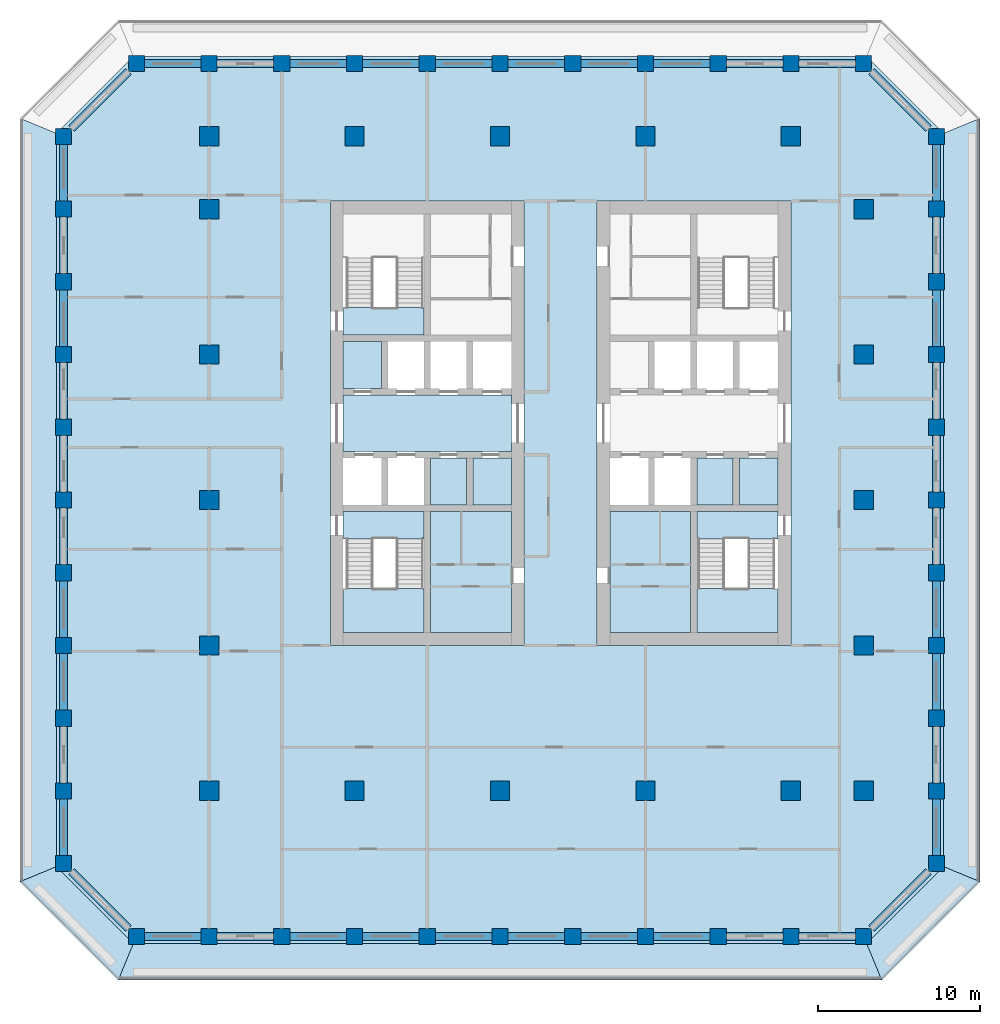
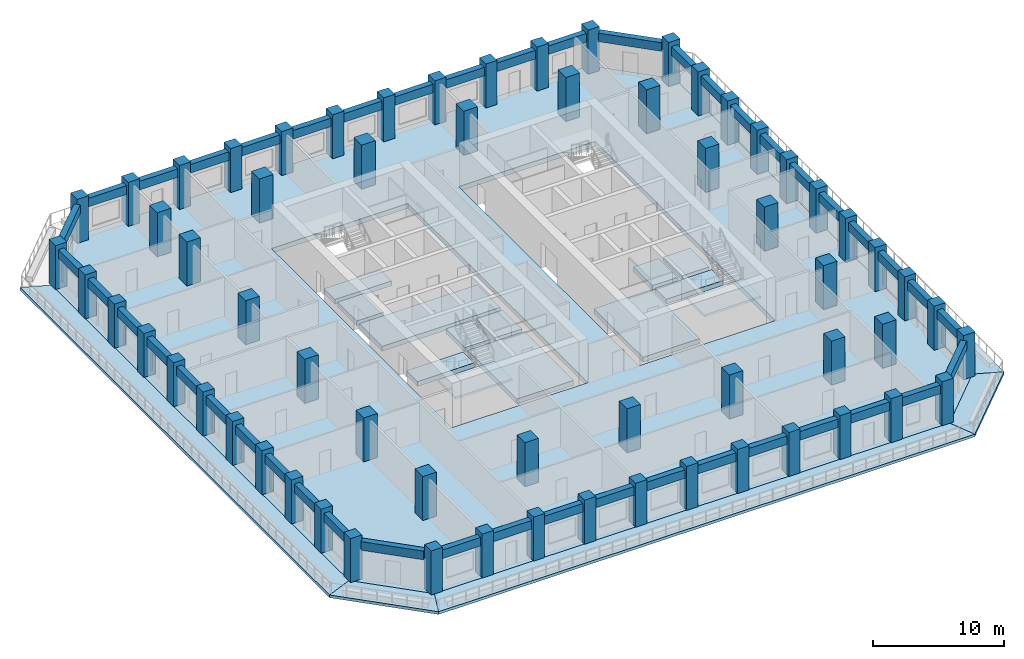
# One storey, part 1 of 16: 63 columns, 44 beams, 19 slabs, 2 elements without a shape of their own.
"""IFC4 building model written with IfcOpenShell, lengths in metres."""

from ifc_helpers import new_model, si_unit, direction, frame, origin, origin_2d, place, context, subcontext, project, spatial, polyline, rectangle, outline, extrude, material, layer, layer_set, material_profile, profile_set, type_object, element, aggregate, save


model = new_model("IFC4")

# Units and contexts
model_context = context("Model", 3, precision=1e-05, world=origin(), true_north=direction((0.0, 1.0)))
body_context = subcontext(model_context, "Body", "Model", "MODEL_VIEW")
ifc_project = project(units=[si_unit("LENGTHUNIT", "METRE"), si_unit("AREAUNIT", "SQUARE_METRE"), si_unit("VOLUMEUNIT", "CUBIC_METRE"), si_unit("PLANEANGLEUNIT", "RADIAN"), si_unit("MASSUNIT", "GRAM", prefix="KILO")], contexts=[model_context])

# Site, building, storey
site_placement = place(None, origin())
site = spatial("IfcSite", under=ifc_project, at=site_placement, CompositionType="ELEMENT")
building_placement = place(site_placement, origin())
building = spatial("IfcBuilding", under=site, at=building_placement, Name="Corbel Stack Research Tower", CompositionType="ELEMENT")
storey_placement = place(building_placement, frame((0.0, 0.0, 177.300048828125)))
storey = spatial("IfcBuildingStorey", under=building, at=storey_placement, Name="L40", CompositionType="ELEMENT", Elevation=177.300048828125)

# Columns
ifc_material_1 = material(Name="Concrete C60/75", Category="concrete")
ifc_material_profile_1 = material_profile(ifc_material_1, rectangle(XDim=1.0, YDim=1.0, at=origin_2d()), Name="RC 1000 x 1000")
ifc_profile_set_1 = profile_set([ifc_material_profile_1], Name="Concrete C60/75")
column_type_1 = type_object("IfcColumnType", Name="C-1000-60", PredefinedType="COLUMN", material=ifc_profile_set_1)
for number, where, z_axis, x_axis, name in (
    (1, (-27.0, -22.5, 0.0), (0.0, 0.0, 1.0), (1.0, 0.0, 0.0), "Column 2/C L40"),
    (2, (-27.0, -18.0, 0.0), (0.0, 0.0, 1.0), (1.0, 0.0, 0.0), "Column 2/D L40"),
    (3, (-27.0, -13.5, 0.0), (0.0, 0.0, 1.0), (1.0, 0.0, 0.0), "Column 2/E L40"),
    (4, (-27.0, -9.0, 0.0), (0.0, 0.0, 1.0), (1.0, 0.0, 0.0), "Column 2/F L40"),
    (5, (-27.0, -4.5, 0.0), (0.0, 0.0, 1.0), (1.0, 0.0, 0.0), "Column 2/G L40"),
    (6, (-27.0, 0.0, 0.0), (0.0, 0.0, 1.0), (1.0, 0.0, 0.0), "Column 2/H L40"),
    (7, (-27.0, 4.5, 0.0), (0.0, 0.0, 1.0), (1.0, 0.0, 0.0), "Column 2/J L40"),
    (8, (-27.0, 9.0, 0.0), (0.0, 0.0, 1.0), (1.0, 0.0, 0.0), "Column 2/K L40"),
    (9, (-27.0, 13.5, 0.0), (0.0, 0.0, 1.0), (1.0, 0.0, 0.0), "Column 2/L L40"),
    (10, (-27.0, 18.0, 0.0), (0.0, 0.0, 1.0), (1.0, 0.0, 0.0), "Column 2/M L40"),
    (11, (-27.0, 22.5, 0.0), (0.0, 0.0, 1.0), (1.0, 0.0, 0.0), "Column 2/N L40"),
    (12, (-22.5, -27.0, 0.0), (0.0, 0.0, 1.0), (1.0, 0.0, 0.0), "Column 3/B L40"),
    (13, (-22.5, 27.0, 0.0), (0.0, 0.0, 1.0), (1.0, 0.0, 0.0), "Column 3/P L40"),
    (14, (-18.0, -27.0, 0.0), (0.0, 0.0, 1.0), (1.0, 0.0, 0.0), "Column 4/B L40"),
    (15, (-18.0, 27.0, 0.0), (0.0, 0.0, 1.0), (1.0, 0.0, 0.0), "Column 4/P L40"),
    (16, (-13.5, -27.0, 0.0), (0.0, 0.0, 1.0), (1.0, 0.0, 0.0), "Column 5/B L40"),
    (17, (-13.5, 27.0, 0.0), (0.0, 0.0, 1.0), (1.0, 0.0, 0.0), "Column 5/P L40"),
    (18, (-9.0, -27.0, 0.0), (0.0, 0.0, 1.0), (1.0, 0.0, 0.0), "Column 6/B L40"),
    (19, (-9.0, 27.0, 0.0), (0.0, 0.0, 1.0), (1.0, 0.0, 0.0), "Column 6/P L40"),
    (20, (-4.5, -27.0, 0.0), (0.0, 0.0, 1.0), (1.0, 0.0, 0.0), "Column 7/B L40"),
    (21, (-4.5, 27.0, 0.0), (0.0, 0.0, 1.0), (1.0, 0.0, 0.0), "Column 7/P L40"),
    (22, (0.0, -27.0, 0.0), (0.0, 0.0, 1.0), (1.0, 0.0, 0.0), "Column 8/B L40"),
    (23, (0.0, 27.0, 0.0), (0.0, 0.0, 1.0), (1.0, 0.0, 0.0), "Column 8/P L40"),
    (24, (4.5, -27.0, 0.0), (0.0, 0.0, 1.0), (1.0, 0.0, 0.0), "Column 9/B L40"),
    (25, (4.5, 27.0, 0.0), (0.0, 0.0, 1.0), (1.0, 0.0, 0.0), "Column 9/P L40"),
    (26, (9.0, -27.0, 0.0), (0.0, 0.0, 1.0), (1.0, 0.0, 0.0), "Column 10/B L40"),
    (27, (9.0, 27.0, 0.0), (0.0, 0.0, 1.0), (1.0, 0.0, 0.0), "Column 10/P L40"),
    (28, (13.5, -27.0, 0.0), (0.0, 0.0, 1.0), (1.0, 0.0, 0.0), "Column 11/B L40"),
    (29, (13.5, 27.0, 0.0), (0.0, 0.0, 1.0), (1.0, 0.0, 0.0), "Column 11/P L40"),
    (30, (18.0, -27.0, 0.0), (0.0, 0.0, 1.0), (1.0, 0.0, 0.0), "Column 12/B L40"),
    (31, (18.0, 27.0, 0.0), (0.0, 0.0, 1.0), (1.0, 0.0, 0.0), "Column 12/P L40"),
    (32, (22.5, -27.0, 0.0), (0.0, 0.0, 1.0), (1.0, 0.0, 0.0), "Column 13/B L40"),
    (33, (22.5, 27.0, 0.0), (0.0, 0.0, 1.0), (1.0, 0.0, 0.0), "Column 13/P L40"),
    (34, (27.0, -22.5, 0.0), (0.0, 0.0, 1.0), (1.0, 0.0, 0.0), "Column 14/C L40"),
    (35, (27.0, -18.0, 0.0), (0.0, 0.0, 1.0), (1.0, 0.0, 0.0), "Column 14/D L40"),
    (36, (27.0, -13.5, 0.0), (0.0, 0.0, 1.0), (1.0, 0.0, 0.0), "Column 14/E L40"),
    (37, (27.0, -9.0, 0.0), (0.0, 0.0, 1.0), (1.0, 0.0, 0.0), "Column 14/F L40"),
    (38, (27.0, -4.5, 0.0), (0.0, 0.0, 1.0), (1.0, 0.0, 0.0), "Column 14/G L40"),
    (39, (27.0, 0.0, 0.0), (0.0, 0.0, 1.0), (1.0, 0.0, 0.0), "Column 14/H L40"),
    (40, (27.0, 4.5, 0.0), (0.0, 0.0, 1.0), (1.0, 0.0, 0.0), "Column 14/J L40"),
    (41, (27.0, 9.0, 0.0), (0.0, 0.0, 1.0), (1.0, 0.0, 0.0), "Column 14/K L40"),
    (42, (27.0, 13.5, 0.0), (0.0, 0.0, 1.0), (1.0, 0.0, 0.0), "Column 14/L L40"),
    (43, (27.0, 18.0, 0.0), (0.0, 0.0, 1.0), (1.0, 0.0, 0.0), "Column 14/M L40"),
    (44, (27.0, 22.5, 0.0), (0.0, 0.0, 1.0), (1.0, 0.0, 0.0), "Column 14/N L40"),
):
    element("IfcColumn", number, at=place(storey_placement, frame(where, z_axis=z_axis, x_axis=x_axis)), inside=storey, type_object=column_type_1, Name=name, PredefinedType="COLUMN", context=body_context, shape_type="SweptSolid", body=[
        extrude(rectangle(XDim=1.0, YDim=1.0, at=origin_2d()), origin(), (0.0, 0.0, 1.0), 4.099853515625),
    ])
ifc_material_2 = material(Name="Concrete C60/75", Category="concrete")
ifc_material_profile_2 = material_profile(ifc_material_2, rectangle(XDim=1.199951171875, YDim=1.199951171875, at=origin_2d()), Name="RC 1200 x 1200")
ifc_profile_set_2 = profile_set([ifc_material_profile_2], Name="Concrete C60/75")
column_type_2 = type_object("IfcColumnType", Name="C-1200-60", PredefinedType="COLUMN", material=ifc_profile_set_2)
for number, where, z_axis, x_axis, name in (
    (45, (-18.0, -18.0, 0.0), (0.0, 0.0, 1.0), (1.0, 0.0, 0.0), "Column 4/D L40"),
    (46, (-18.0, -9.0, 0.0), (0.0, 0.0, 1.0), (1.0, 0.0, 0.0), "Column 4/F L40"),
    (47, (-18.0, 0.0, 0.0), (0.0, 0.0, 1.0), (1.0, 0.0, 0.0), "Column 4/H L40"),
    (48, (-18.0, 9.0, 0.0), (0.0, 0.0, 1.0), (1.0, 0.0, 0.0), "Column 4/K L40"),
    (49, (-18.0, 18.0, 0.0), (0.0, 0.0, 1.0), (1.0, 0.0, 0.0), "Column 4/M L40"),
    (50, (-18.0, 22.5, 0.0), (0.0, 0.0, 1.0), (1.0, 0.0, 0.0), "Column 4/N L40"),
    (51, (-9.0, -18.0, 0.0), (0.0, 0.0, 1.0), (1.0, 0.0, 0.0), "Column 6/D L40"),
    (52, (-9.0, 22.5, 0.0), (0.0, 0.0, 1.0), (1.0, 0.0, 0.0), "Column 6/N L40"),
    (53, (0.0, -18.0, 0.0), (0.0, 0.0, 1.0), (1.0, 0.0, 0.0), "Column 8/D L40"),
    (54, (0.0, 22.5, 0.0), (0.0, 0.0, 1.0), (1.0, 0.0, 0.0), "Column 8/N L40"),
    (55, (9.0, -18.0, 0.0), (0.0, 0.0, 1.0), (1.0, 0.0, 0.0), "Column 10/D L40"),
    (56, (9.0, 22.5, 0.0), (0.0, 0.0, 1.0), (1.0, 0.0, 0.0), "Column 10/N L40"),
    (57, (18.0, -18.0, 0.0), (0.0, 0.0, 1.0), (1.0, 0.0, 0.0), "Column 12/D L40"),
    (58, (18.0, 22.5, 0.0), (0.0, 0.0, 1.0), (1.0, 0.0, 0.0), "Column 12/N L40"),
    (59, (22.5, -18.0, 0.0), (0.0, 0.0, 1.0), (1.0, 0.0, 0.0), "Column 13/D L40"),
    (60, (22.5, -9.0, 0.0), (0.0, 0.0, 1.0), (1.0, 0.0, 0.0), "Column 13/F L40"),
    (61, (22.5, 0.0, 0.0), (0.0, 0.0, 1.0), (1.0, 0.0, 0.0), "Column 13/H L40"),
    (62, (22.5, 9.0, 0.0), (0.0, 0.0, 1.0), (1.0, 0.0, 0.0), "Column 13/K L40"),
    (63, (22.5, 18.0, 0.0), (0.0, 0.0, 1.0), (1.0, 0.0, 0.0), "Column 13/M L40"),
):
    element("IfcColumn", number, at=place(storey_placement, frame(where, z_axis=z_axis, x_axis=x_axis)), inside=storey, type_object=column_type_2, Name=name, PredefinedType="COLUMN", context=body_context, shape_type="SweptSolid", body=[
        extrude(rectangle(XDim=1.199951171875, YDim=1.199951171875, at=origin_2d()), origin(), (0.0, 0.0, 1.0), 4.099853515625),
    ])

# Beams
ifc_material_3 = material(Name="Concrete C60/75", Category="concrete")
ifc_material_profile_3 = material_profile(ifc_material_3, rectangle(XDim=0.5, YDim=0.800048828125, at=origin_2d()), Name="RC 500 x 800")
ifc_profile_set_3 = profile_set([ifc_material_profile_3], Name="Concrete C60/75")
beam_type = type_object("IfcBeamType", Name="SB-500-800-450", PredefinedType="SPANDREL", material=ifc_profile_set_3)
for number, where, z_axis, x_axis, name in (
    (64, (-22.0, -27.0, 3.25), (1.0, 0.0, 0.0), (0.0, 1.0, 0.0), "Spandrel beam L40-01"),
    (65, (-17.5, -27.0, 3.25), (1.0, 0.0, 0.0), (0.0, 1.0, 0.0), "Spandrel beam L40-02"),
    (66, (-13.0, -27.0, 3.25), (1.0, 0.0, 0.0), (0.0, 1.0, 0.0), "Spandrel beam L40-03"),
    (67, (-8.5, -27.0, 3.25), (1.0, 0.0, 0.0), (0.0, 1.0, 0.0), "Spandrel beam L40-04"),
    (68, (-4.0, -27.0, 3.25), (1.0, 0.0, 0.0), (0.0, 1.0, 0.0), "Spandrel beam L40-05"),
    (69, (0.5, -27.0, 3.25), (1.0, 0.0, 0.0), (0.0, 1.0, 0.0), "Spandrel beam L40-06"),
    (70, (5.0, -27.0, 3.25), (1.0, 0.0, 0.0), (0.0, 1.0, 0.0), "Spandrel beam L40-07"),
    (71, (9.5, -27.0, 3.25), (1.0, 0.0, 0.0), (0.0, 1.0, 0.0), "Spandrel beam L40-08"),
    (72, (14.0, -27.0, 3.25), (1.0, 0.0, 0.0), (0.0, 1.0, 0.0), "Spandrel beam L40-09"),
    (73, (18.5, -27.0, 3.25), (1.0, 0.0, 0.0), (0.0, 1.0, 0.0), "Spandrel beam L40-10"),
):
    element("IfcBeam", number, at=place(storey_placement, frame(where, z_axis=z_axis, x_axis=x_axis)), inside=storey, type_object=beam_type, Name=name, PredefinedType="SPANDREL", context=body_context, shape_type="SweptSolid", body=[
        extrude(rectangle(XDim=0.5, YDim=0.800048828125, at=origin_2d()), origin(), (0.0, 0.0, 1.0), 3.5),
    ])
beam_1_placement = place(storey_placement, frame((23.0, -26.5, 3.25), z_axis=(0.707106781187, 0.707106781187, 0.0), x_axis=(-0.707106781187, 0.707106781187, 0.0)))
element("IfcBeam", 74, at=beam_1_placement, inside=storey, type_object=beam_type, Name="Spandrel beam L40-11", PredefinedType="SPANDREL", context=body_context, shape_type="SweptSolid", body=[
    extrude(rectangle(XDim=0.5, YDim=0.800048828125, at=origin_2d()), origin(), (0.0, 0.0, 1.0), 4.94970703125),
])
for number, where, z_axis, x_axis, name in (
    (75, (27.0, -22.0, 3.25), (0.0, 1.0, 0.0), (-1.0, 0.0, 0.0), "Spandrel beam L40-12"),
    (76, (27.0, -17.5, 3.25), (0.0, 1.0, 0.0), (-1.0, 0.0, 0.0), "Spandrel beam L40-13"),
    (77, (27.0, -13.0, 3.25), (0.0, 1.0, 0.0), (-1.0, 0.0, 0.0), "Spandrel beam L40-14"),
    (78, (27.0, -8.5, 3.25), (0.0, 1.0, 0.0), (-1.0, 0.0, 0.0), "Spandrel beam L40-15"),
    (79, (27.0, -4.0, 3.25), (0.0, 1.0, 0.0), (-1.0, 0.0, 0.0), "Spandrel beam L40-16"),
    (80, (27.0, 0.5, 3.25), (0.0, 1.0, 0.0), (-1.0, 0.0, 0.0), "Spandrel beam L40-17"),
    (81, (27.0, 5.0, 3.25), (0.0, 1.0, 0.0), (-1.0, 0.0, 0.0), "Spandrel beam L40-18"),
    (82, (27.0, 9.5, 3.25), (0.0, 1.0, 0.0), (-1.0, 0.0, 0.0), "Spandrel beam L40-19"),
    (83, (27.0, 14.0, 3.25), (0.0, 1.0, 0.0), (-1.0, 0.0, 0.0), "Spandrel beam L40-20"),
    (84, (27.0, 18.5, 3.25), (0.0, 1.0, 0.0), (-1.0, 0.0, 0.0), "Spandrel beam L40-21"),
):
    element("IfcBeam", number, at=place(storey_placement, frame(where, z_axis=z_axis, x_axis=x_axis)), inside=storey, type_object=beam_type, Name=name, PredefinedType="SPANDREL", context=body_context, shape_type="SweptSolid", body=[
        extrude(rectangle(XDim=0.5, YDim=0.800048828125, at=origin_2d()), origin(), (0.0, 0.0, 1.0), 3.5),
    ])
beam_2_placement = place(storey_placement, frame((26.5, 23.0, 3.25), z_axis=(-0.707106781187, 0.707106781187, 0.0), x_axis=(-0.707106781187, -0.707106781187, 0.0)))
element("IfcBeam", 85, at=beam_2_placement, inside=storey, type_object=beam_type, Name="Spandrel beam L40-22", PredefinedType="SPANDREL", context=body_context, shape_type="SweptSolid", body=[
    extrude(rectangle(XDim=0.5, YDim=0.800048828125, at=origin_2d()), origin(), (0.0, 0.0, 1.0), 4.94970703125),
])
for number, where, z_axis, x_axis, name in (
    (86, (22.0, 27.0, 3.25), (-1.0, 0.0, 0.0), (0.0, -1.0, 0.0), "Spandrel beam L40-23"),
    (87, (17.5, 27.0, 3.25), (-1.0, 0.0, 0.0), (0.0, -1.0, 0.0), "Spandrel beam L40-24"),
    (88, (13.0, 27.0, 3.25), (-1.0, 0.0, 0.0), (0.0, -1.0, 0.0), "Spandrel beam L40-25"),
    (89, (8.5, 27.0, 3.25), (-1.0, 0.0, 0.0), (0.0, -1.0, 0.0), "Spandrel beam L40-26"),
    (90, (4.0, 27.0, 3.25), (-1.0, 0.0, 0.0), (0.0, -1.0, 0.0), "Spandrel beam L40-27"),
    (91, (-0.5, 27.0, 3.25), (-1.0, 0.0, 0.0), (0.0, -1.0, 0.0), "Spandrel beam L40-28"),
    (92, (-5.0, 27.0, 3.25), (-1.0, 0.0, 0.0), (0.0, -1.0, 0.0), "Spandrel beam L40-29"),
    (93, (-9.5, 27.0, 3.25), (-1.0, 0.0, 0.0), (0.0, -1.0, 0.0), "Spandrel beam L40-30"),
    (94, (-14.0, 27.0, 3.25), (-1.0, 0.0, 0.0), (0.0, -1.0, 0.0), "Spandrel beam L40-31"),
    (95, (-18.5, 27.0, 3.25), (-1.0, 0.0, 0.0), (0.0, -1.0, 0.0), "Spandrel beam L40-32"),
):
    element("IfcBeam", number, at=place(storey_placement, frame(where, z_axis=z_axis, x_axis=x_axis)), inside=storey, type_object=beam_type, Name=name, PredefinedType="SPANDREL", context=body_context, shape_type="SweptSolid", body=[
        extrude(rectangle(XDim=0.5, YDim=0.800048828125, at=origin_2d()), origin(), (0.0, 0.0, 1.0), 3.5),
    ])
beam_3_placement = place(storey_placement, frame((-23.0, 26.5, 3.25), z_axis=(-0.707106781187, -0.707106781187, 0.0), x_axis=(0.707106781187, -0.707106781187, 0.0)))
element("IfcBeam", 96, at=beam_3_placement, inside=storey, type_object=beam_type, Name="Spandrel beam L40-33", PredefinedType="SPANDREL", context=body_context, shape_type="SweptSolid", body=[
    extrude(rectangle(XDim=0.5, YDim=0.800048828125, at=origin_2d()), origin(), (0.0, 0.0, 1.0), 4.94970703125),
])
for number, where, z_axis, x_axis, name in (
    (97, (-27.0, 22.0, 3.25), (0.0, -1.0, 0.0), (1.0, 0.0, 0.0), "Spandrel beam L40-34"),
    (98, (-27.0, 17.5, 3.25), (0.0, -1.0, 0.0), (1.0, 0.0, 0.0), "Spandrel beam L40-35"),
    (99, (-27.0, 13.0, 3.25), (0.0, -1.0, 0.0), (1.0, 0.0, 0.0), "Spandrel beam L40-36"),
    (100, (-27.0, 8.5, 3.25), (0.0, -1.0, 0.0), (1.0, 0.0, 0.0), "Spandrel beam L40-37"),
    (101, (-27.0, 4.0, 3.25), (0.0, -1.0, 0.0), (1.0, 0.0, 0.0), "Spandrel beam L40-38"),
    (102, (-27.0, -0.5, 3.25), (0.0, -1.0, 0.0), (1.0, 0.0, 0.0), "Spandrel beam L40-39"),
    (103, (-27.0, -5.0, 3.25), (0.0, -1.0, 0.0), (1.0, 0.0, 0.0), "Spandrel beam L40-40"),
    (104, (-27.0, -9.5, 3.25), (0.0, -1.0, 0.0), (1.0, 0.0, 0.0), "Spandrel beam L40-41"),
    (105, (-27.0, -14.0, 3.25), (0.0, -1.0, 0.0), (1.0, 0.0, 0.0), "Spandrel beam L40-42"),
    (106, (-27.0, -18.5, 3.25), (0.0, -1.0, 0.0), (1.0, 0.0, 0.0), "Spandrel beam L40-43"),
):
    element("IfcBeam", number, at=place(storey_placement, frame(where, z_axis=z_axis, x_axis=x_axis)), inside=storey, type_object=beam_type, Name=name, PredefinedType="SPANDREL", context=body_context, shape_type="SweptSolid", body=[
        extrude(rectangle(XDim=0.5, YDim=0.800048828125, at=origin_2d()), origin(), (0.0, 0.0, 1.0), 3.5),
    ])
beam_4_placement = place(storey_placement, frame((-26.5, -23.0, 3.25), z_axis=(0.707106781187, -0.707106781187, 0.0), x_axis=(0.707106781187, 0.707106781187, 0.0)))
element("IfcBeam", 107, at=beam_4_placement, inside=storey, type_object=beam_type, Name="Spandrel beam L40-44", PredefinedType="SPANDREL", context=body_context, shape_type="SweptSolid", body=[
    extrude(rectangle(XDim=0.5, YDim=0.800048828125, at=origin_2d()), origin(), (0.0, 0.0, 1.0), 4.94970703125),
])

# Slabs
ifc_material_4 = material(Name="Concrete C45/55", Category="concrete")
ifc_layer_1 = layer(ifc_material_4, 0.25)
ifc_layer_set_1 = layer_set([ifc_layer_1], Name="Concrete C45/55")
slab_type_1 = type_object("IfcSlabType", Name="PT balcony slab 250 C45/55", PredefinedType="FLOOR", material=ifc_layer_set_1)
slab_1_placement = place(storey_placement, frame((0.0, 0.0, -0.25)))
element("IfcSlab", 108, at=slab_1_placement, inside=storey, type_object=slab_type_1, Name="Loggia slab L40 S", PredefinedType="FLOOR", context=body_context, shape_type="SweptSolid", body=[
    extrude(outline(polyline([(22.70703125, -27.5), (22.0, -27.5), (22.0, -27.449951171875), (18.5, -27.449951171875), (18.5, -27.5), (17.5, -27.5), (17.5, -27.449951171875), (14.0, -27.449951171875), (14.0, -27.5), (13.0, -27.5), (13.0, -27.449951171875), (9.5, -27.449951171875), (9.5, -27.5), (8.5, -27.5), (8.5, -27.449951171875), (5.0, -27.449951171875), (5.0, -27.5), (4.0, -27.5), (4.0, -27.449951171875), (0.5, -27.449951171875), (0.5, -27.5), (-0.5, -27.5), (-0.5, -27.449951171875), (-4.0, -27.449951171875), (-4.0, -27.5), (-5.0, -27.5), (-5.0, -27.449951171875), (-8.5, -27.449951171875), (-8.5, -27.5), (-9.5, -27.5), (-9.5, -27.449951171875), (-13.0, -27.449951171875), (-13.0, -27.5), (-14.0, -27.5), (-14.0, -27.449951171875), (-17.5, -27.449951171875), (-17.5, -27.5), (-18.5, -27.5), (-18.5, -27.449951171875), (-22.0, -27.449951171875), (-22.0, -27.5), (-22.70703125, -27.5), (-23.618408203125, -29.699951171875), (23.618408203125, -29.699951171875), (22.70703125, -27.5)])), origin(), (0.0, 0.0, 1.0), 0.25),
])
slab_2_placement = place(storey_placement, frame((0.0, 0.0, -0.25)))
element("IfcSlab", 109, at=slab_2_placement, inside=storey, type_object=slab_type_1, Name="Loggia slab L40 SE", PredefinedType="FLOOR", context=body_context, shape_type="SweptSolid", body=[
    extrude(outline(polyline([(27.5, -22.70703125), (27.5, -23.0), (27.136474609375, -23.0), (23.0, -27.136474609375), (23.0, -27.5), (22.70703125, -27.5), (23.618408203125, -29.699951171875), (29.699951171875, -23.618408203125), (27.5, -22.70703125)])), origin(), (0.0, 0.0, 1.0), 0.25),
])
slab_3_placement = place(storey_placement, frame((0.0, 0.0, -0.25)))
element("IfcSlab", 110, at=slab_3_placement, inside=storey, type_object=slab_type_1, Name="Loggia slab L40 E", PredefinedType="FLOOR", context=body_context, shape_type="SweptSolid", body=[
    extrude(outline(polyline([(27.5, 22.70703125), (27.5, 22.0), (27.449951171875, 22.0), (27.449951171875, 18.5), (27.5, 18.5), (27.5, 17.5), (27.449951171875, 17.5), (27.449951171875, 14.0), (27.5, 14.0), (27.5, 13.0), (27.449951171875, 13.0), (27.449951171875, 9.5), (27.5, 9.5), (27.5, 8.5), (27.449951171875, 8.5), (27.449951171875, 5.0), (27.5, 5.0), (27.5, 4.0), (27.449951171875, 4.0), (27.449951171875, 0.5), (27.5, 0.5), (27.5, -0.5), (27.449951171875, -0.5), (27.449951171875, -4.0), (27.5, -4.0), (27.5, -5.0), (27.449951171875, -5.0), (27.449951171875, -8.5), (27.5, -8.5), (27.5, -9.5), (27.449951171875, -9.5), (27.449951171875, -13.0), (27.5, -13.0), (27.5, -14.0), (27.449951171875, -14.0), (27.449951171875, -17.5), (27.5, -17.5), (27.5, -18.5), (27.449951171875, -18.5), (27.449951171875, -22.0), (27.5, -22.0), (27.5, -22.70703125), (29.699951171875, -23.618408203125), (29.699951171875, 23.618408203125), (27.5, 22.70703125)])), origin(), (0.0, 0.0, 1.0), 0.25),
])
slab_4_placement = place(storey_placement, frame((0.0, 0.0, -0.25)))
element("IfcSlab", 111, at=slab_4_placement, inside=storey, type_object=slab_type_1, Name="Loggia slab L40 W", PredefinedType="FLOOR", context=body_context, shape_type="SweptSolid", body=[
    extrude(outline(polyline([(-27.5, -22.70703125), (-27.5, -22.0), (-27.449951171875, -22.0), (-27.449951171875, -18.5), (-27.5, -18.5), (-27.5, -17.5), (-27.449951171875, -17.5), (-27.449951171875, -14.0), (-27.5, -14.0), (-27.5, -13.0), (-27.449951171875, -13.0), (-27.449951171875, -9.5), (-27.5, -9.5), (-27.5, -8.5), (-27.449951171875, -8.5), (-27.449951171875, -5.0), (-27.5, -5.0), (-27.5, -4.0), (-27.449951171875, -4.0), (-27.449951171875, -0.5), (-27.5, -0.5), (-27.5, 0.5), (-27.449951171875, 0.5), (-27.449951171875, 4.0), (-27.5, 4.0), (-27.5, 5.0), (-27.449951171875, 5.0), (-27.449951171875, 8.5), (-27.5, 8.5), (-27.5, 9.5), (-27.449951171875, 9.5), (-27.449951171875, 13.0), (-27.5, 13.0), (-27.5, 14.0), (-27.449951171875, 14.0), (-27.449951171875, 17.5), (-27.5, 17.5), (-27.5, 18.5), (-27.449951171875, 18.5), (-27.449951171875, 22.0), (-27.5, 22.0), (-27.5, 22.70703125), (-29.699951171875, 23.618408203125), (-29.699951171875, -23.618408203125), (-27.5, -22.70703125)])), origin(), (0.0, 0.0, 1.0), 0.25),
])
slab_5_placement = place(storey_placement, frame((0.0, 0.0, -0.25)))
element("IfcSlab", 112, at=slab_5_placement, inside=storey, type_object=slab_type_1, Name="Loggia slab L40 SW", PredefinedType="FLOOR", context=body_context, shape_type="SweptSolid", body=[
    extrude(outline(polyline([(-22.70703125, -27.5), (-23.0, -27.5), (-23.0, -27.136474609375), (-27.136474609375, -23.0), (-27.5, -23.0), (-27.5, -22.70703125), (-29.699951171875, -23.618408203125), (-23.618408203125, -29.699951171875), (-22.70703125, -27.5)])), origin(), (0.0, 0.0, 1.0), 0.25),
])
ifc_material_5 = material(Name="Concrete C45/55", Category="concrete")
ifc_layer_2 = layer(ifc_material_5, 0.449951171875)
ifc_layer_set_2 = layer_set([ifc_layer_2], Name="Concrete C45/55")
slab_type_2 = type_object("IfcSlabType", Name="PT-450", PredefinedType="FLOOR", material=ifc_layer_set_2)
slab_6_placement = place(storey_placement, frame((0.0, 0.0, -0.449951171875)))
element("IfcSlab", 113, at=slab_6_placement, inside=storey, type_object=slab_type_2, Name="Floor slab L40", PredefinedType="FLOOR", context=body_context, shape_type="SweptSolid", body=[
    extrude(outline(polyline([(-22.686279296875, -27.449951171875), (22.686279296875, -27.449951171875), (27.449951171875, -22.686279296875), (27.449951171875, 22.686279296875), (22.686279296875, 27.449951171875), (-22.686279296875, 27.449951171875), (-27.449951171875, 22.686279296875), (-27.449951171875, -22.686279296875), (-22.686279296875, -27.449951171875)]), holes=[polyline([(23.10009765625, 17.39990234375), (21.89990234375, 17.39990234375), (21.89990234375, 18.60009765625), (23.10009765625, 18.60009765625), (23.10009765625, 17.39990234375)]), polyline([(21.89990234375, 8.39990234375), (21.89990234375, 9.60009765625), (23.10009765625, 9.60009765625), (23.10009765625, 8.39990234375), (21.89990234375, 8.39990234375)]), polyline([(23.10009765625, -0.60009765625), (21.89990234375, -0.60009765625), (21.89990234375, 0.60009765625), (23.10009765625, 0.60009765625), (23.10009765625, -0.60009765625)]), polyline([(21.89990234375, -9.60009765625), (21.89990234375, -8.39990234375), (23.10009765625, -8.39990234375), (23.10009765625, -9.60009765625), (21.89990234375, -9.60009765625)]), polyline([(21.89990234375, -18.60009765625), (21.89990234375, -17.39990234375), (23.10009765625, -17.39990234375), (23.10009765625, -18.60009765625), (21.89990234375, -18.60009765625)]), polyline([(17.39990234375, 21.89990234375), (17.39990234375, 23.10009765625), (18.60009765625, 23.10009765625), (18.60009765625, 21.89990234375), (17.39990234375, 21.89990234375)]), polyline([(18.60009765625, -18.60009765625), (17.39990234375, -18.60009765625), (17.39990234375, -17.39990234375), (18.60009765625, -17.39990234375), (18.60009765625, -18.60009765625)]), polyline([(6.0, -9.0), (6.0, 18.5), (18.0, 18.5), (18.0, -9.0), (6.0, -9.0)]), polyline([(8.39990234375, 21.89990234375), (8.39990234375, 23.10009765625), (9.60009765625, 23.10009765625), (9.60009765625, 21.89990234375), (8.39990234375, 21.89990234375)]), polyline([(9.60009765625, -18.60009765625), (8.39990234375, -18.60009765625), (8.39990234375, -17.39990234375), (9.60009765625, -17.39990234375), (9.60009765625, -18.60009765625)]), polyline([(1.5, -9.0), (-10.5, -9.0), (-10.5, 18.5), (1.5, 18.5), (1.5, -9.0)]), polyline([(0.60009765625, 21.89990234375), (-0.60009765625, 21.89990234375), (-0.60009765625, 23.10009765625), (0.60009765625, 23.10009765625), (0.60009765625, 21.89990234375)]), polyline([(0.60009765625, -18.60009765625), (-0.60009765625, -18.60009765625), (-0.60009765625, -17.39990234375), (0.60009765625, -17.39990234375), (0.60009765625, -18.60009765625)]), polyline([(-9.60009765625, 21.89990234375), (-9.60009765625, 23.10009765625), (-8.39990234375, 23.10009765625), (-8.39990234375, 21.89990234375), (-9.60009765625, 21.89990234375)]), polyline([(-8.39990234375, -18.60009765625), (-9.60009765625, -18.60009765625), (-9.60009765625, -17.39990234375), (-8.39990234375, -17.39990234375), (-8.39990234375, -18.60009765625)]), polyline([(-18.60009765625, 21.89990234375), (-18.60009765625, 23.10009765625), (-17.39990234375, 23.10009765625), (-17.39990234375, 21.89990234375), (-18.60009765625, 21.89990234375)]), polyline([(-17.39990234375, 17.39990234375), (-18.60009765625, 17.39990234375), (-18.60009765625, 18.60009765625), (-17.39990234375, 18.60009765625), (-17.39990234375, 17.39990234375)]), polyline([(-17.39990234375, 8.39990234375), (-18.60009765625, 8.39990234375), (-18.60009765625, 9.60009765625), (-17.39990234375, 9.60009765625), (-17.39990234375, 8.39990234375)]), polyline([(-18.60009765625, -0.60009765625), (-18.60009765625, 0.60009765625), (-17.39990234375, 0.60009765625), (-17.39990234375, -0.60009765625), (-18.60009765625, -0.60009765625)]), polyline([(-18.60009765625, -9.60009765625), (-18.60009765625, -8.39990234375), (-17.39990234375, -8.39990234375), (-17.39990234375, -9.60009765625), (-18.60009765625, -9.60009765625)]), polyline([(-17.39990234375, -18.60009765625), (-18.60009765625, -18.60009765625), (-18.60009765625, -17.39990234375), (-17.39990234375, -17.39990234375), (-17.39990234375, -18.60009765625)])]), origin(), (0.0, 0.0, 1.0), 0.449951171875),
])
slab_7_placement = place(storey_placement, frame((0.0, 0.0, -0.449951171875)))
element("IfcSlab", 114, at=slab_7_placement, inside=storey, type_object=slab_type_2, Name="West core floor L40", PredefinedType="FLOOR", context=body_context, shape_type="SweptSolid", body=[
    extrude(outline(polyline([(0.699951171875, 6.5), (-9.699951171875, 6.5), (-9.699951171875, 3.0), (0.699951171875, 3.0), (0.699951171875, 6.5)])), origin(), (0.0, 0.0, 1.0), 0.449951171875),
])
slab_8_placement = place(storey_placement, frame((0.0, 0.0, -0.449951171875)))
element("IfcSlab", 115, at=slab_8_placement, inside=storey, type_object=slab_type_2, Name="West core floor L40", PredefinedType="FLOOR", context=body_context, shape_type="SweptSolid", body=[
    extrude(outline(polyline([(-9.699951171875, 6.89990234375), (-7.324951171875, 6.89990234375), (-7.324951171875, 9.800048828125), (-9.699951171875, 9.800048828125), (-9.699951171875, 6.89990234375)])), origin(), (0.0, 0.0, 1.0), 0.449951171875),
])
slab_9_placement = place(storey_placement, frame((0.0, 0.0, -0.449951171875)))
element("IfcSlab", 116, at=slab_9_placement, inside=storey, type_object=slab_type_2, Name="West core floor L40", PredefinedType="FLOOR", context=body_context, shape_type="SweptSolid", body=[
    extrude(outline(polyline([(-4.300048828125, -0.699951171875), (-4.300048828125, -8.199951171875), (0.699951171875, -8.199951171875), (0.699951171875, -0.699951171875), (-4.300048828125, -0.699951171875)])), origin(), (0.0, 0.0, 1.0), 0.449951171875),
])
slab_10_placement = place(storey_placement, frame((0.0, 0.0, -0.449951171875)))
element("IfcSlab", 117, at=slab_10_placement, inside=storey, type_object=slab_type_2, Name="West core floor L40", PredefinedType="FLOOR", context=body_context, shape_type="SweptSolid", body=[
    extrude(outline(polyline([(-2.074951171875, -0.300048828125), (-2.074951171875, 2.60009765625), (-4.300048828125, 2.60009765625), (-4.300048828125, -0.300048828125), (-2.074951171875, -0.300048828125)])), origin(), (0.0, 0.0, 1.0), 0.449951171875),
])
slab_11_placement = place(storey_placement, frame((0.0, 0.0, -0.449951171875)))
element("IfcSlab", 118, at=slab_11_placement, inside=storey, type_object=slab_type_2, Name="West core floor L40", PredefinedType="FLOOR", context=body_context, shape_type="SweptSolid", body=[
    extrude(outline(polyline([(0.699951171875, -0.300048828125), (0.699951171875, 2.60009765625), (-1.675048828125, 2.60009765625), (-1.675048828125, -0.300048828125), (0.699951171875, -0.300048828125)])), origin(), (0.0, 0.0, 1.0), 0.449951171875),
])
slab_12_placement = place(storey_placement, frame((0.0, 0.0, -0.449951171875)))
element("IfcSlab", 119, at=slab_12_placement, inside=storey, type_object=slab_type_2, Name="East core floor L40", PredefinedType="FLOOR", context=body_context, shape_type="SweptSolid", body=[
    extrude(outline(polyline([(6.800048828125, -0.699951171875), (6.800048828125, -8.199951171875), (11.800048828125, -8.199951171875), (11.800048828125, -0.699951171875), (6.800048828125, -0.699951171875)])), origin(), (0.0, 0.0, 1.0), 0.449951171875),
])
slab_13_placement = place(storey_placement, frame((0.0, 0.0, -0.449951171875)))
element("IfcSlab", 120, at=slab_13_placement, inside=storey, type_object=slab_type_2, Name="East core floor L40", PredefinedType="FLOOR", context=body_context, shape_type="SweptSolid", body=[
    extrude(outline(polyline([(14.425048828125, -0.300048828125), (14.425048828125, 2.60009765625), (12.199951171875, 2.60009765625), (12.199951171875, -0.300048828125), (14.425048828125, -0.300048828125)])), origin(), (0.0, 0.0, 1.0), 0.449951171875),
])
slab_14_placement = place(storey_placement, frame((0.0, 0.0, -0.449951171875)))
element("IfcSlab", 121, at=slab_14_placement, inside=storey, type_object=slab_type_2, Name="East core floor L40", PredefinedType="FLOOR", context=body_context, shape_type="SweptSolid", body=[
    extrude(outline(polyline([(17.199951171875, -0.300048828125), (17.199951171875, 2.60009765625), (14.824951171875, 2.60009765625), (14.824951171875, -0.300048828125), (17.199951171875, -0.300048828125)])), origin(), (0.0, 0.0, 1.0), 0.449951171875),
])
slab_15_placement = place(storey_placement, frame((0.0, 0.0, -0.449951171875)))
element("IfcSlab", 122, at=slab_15_placement, inside=storey, type_object=slab_type_2, Name="Stair floor landing ST-W1", PredefinedType="FLOOR", context=body_context, shape_type="SweptSolid", body=[
    extrude(outline(polyline([(-9.699951171875, -2.39990234375), (-4.699951171875, -2.39990234375), (-4.699951171875, -0.699951171875), (-9.699951171875, -0.699951171875), (-9.699951171875, -2.39990234375)])), origin(), (0.0, 0.0, 1.0), 0.449951171875),
])
slab_16_placement = place(storey_placement, frame((0.0, 0.0, -0.449951171875)))
element("IfcSlab", 123, at=slab_16_placement, inside=storey, type_object=slab_type_2, Name="Stair floor landing ST-W2", PredefinedType="FLOOR", context=body_context, shape_type="SweptSolid", body=[
    extrude(outline(polyline([(-9.699951171875, 10.199951171875), (-4.699951171875, 10.199951171875), (-4.699951171875, 11.89990234375), (-9.699951171875, 11.89990234375), (-9.699951171875, 10.199951171875)])), origin(), (0.0, 0.0, 1.0), 0.449951171875),
])
slab_17_placement = place(storey_placement, frame((0.0, 0.0, -0.449951171875)))
element("IfcSlab", 124, at=slab_17_placement, inside=storey, type_object=slab_type_2, Name="Stair floor landing ST-E1", PredefinedType="FLOOR", context=body_context, shape_type="SweptSolid", body=[
    extrude(outline(polyline([(12.199951171875, -2.39990234375), (17.199951171875, -2.39990234375), (17.199951171875, -0.699951171875), (12.199951171875, -0.699951171875), (12.199951171875, -2.39990234375)])), origin(), (0.0, 0.0, 1.0), 0.449951171875),
])

# Stair, slab
ifc_material_6 = material(Name="Concrete C40/50", Category="concrete")
stair_type = type_object("IfcStairType", Name="Exit stair 24 risers", PredefinedType="HALF_TURN_STAIR", material=ifc_material_6)
stair_1_placement = place(storey_placement, origin())
stair_1 = element("IfcStair", 125, at=stair_1_placement, inside=storey, type_object=stair_type, Name="L40 Exit stair ST-W1", PredefinedType="HALF_TURN_STAIR")
ifc_material_7 = material(Name="Concrete C40/50", Category="concrete")
ifc_layer_3 = layer(ifc_material_7, 0.199951171875)
ifc_layer_set_3 = layer_set([ifc_layer_3], Name="Concrete C40/50")
slab_type_3 = type_object("IfcSlabType", Name="Stair landing 200 C40/50", PredefinedType="LANDING", material=ifc_layer_set_3)
slab_18_placement = place(storey_placement, frame((0.0, 0.0, 1.849853515625)))
slab_18 = element("IfcSlab", 126, at=slab_18_placement, type_object=slab_type_3, Name="ST-W1 landing 1", PredefinedType="LANDING", context=body_context, shape_type="SweptSolid", body=[
    extrude(outline(polyline([(-9.699951171875, -8.199951171875), (-9.699951171875, -5.47998046875), (-4.699951171875, -5.47998046875), (-4.699951171875, -8.199951171875), (-9.699951171875, -8.199951171875)])), origin(), (0.0, 0.0, 1.0), 0.2001953125),
])
aggregate(stair_1, [slab_18])

stair_2_placement = place(storey_placement, origin())
stair_2 = element("IfcStair", 127, at=stair_2_placement, inside=storey, type_object=stair_type, Name="L40 Exit stair ST-E1", PredefinedType="HALF_TURN_STAIR")
slab_19_placement = place(storey_placement, frame((0.0, 0.0, 1.849853515625)))
slab_19 = element("IfcSlab", 128, at=slab_19_placement, type_object=slab_type_3, Name="ST-E1 landing 1", PredefinedType="LANDING", context=body_context, shape_type="SweptSolid", body=[
    extrude(outline(polyline([(12.199951171875, -8.199951171875), (12.199951171875, -5.47998046875), (17.199951171875, -5.47998046875), (17.199951171875, -8.199951171875), (12.199951171875, -8.199951171875)])), origin(), (0.0, 0.0, 1.0), 0.2001953125),
])
aggregate(stair_2, [slab_19])

save(model, "model.ifc")
